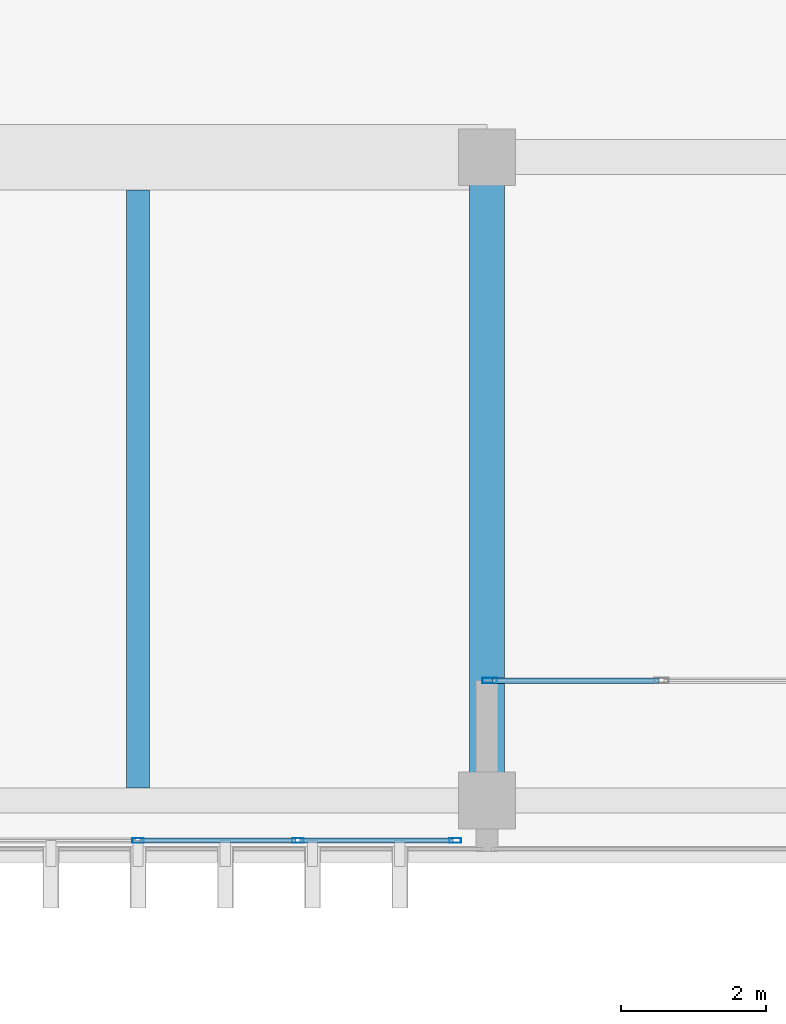
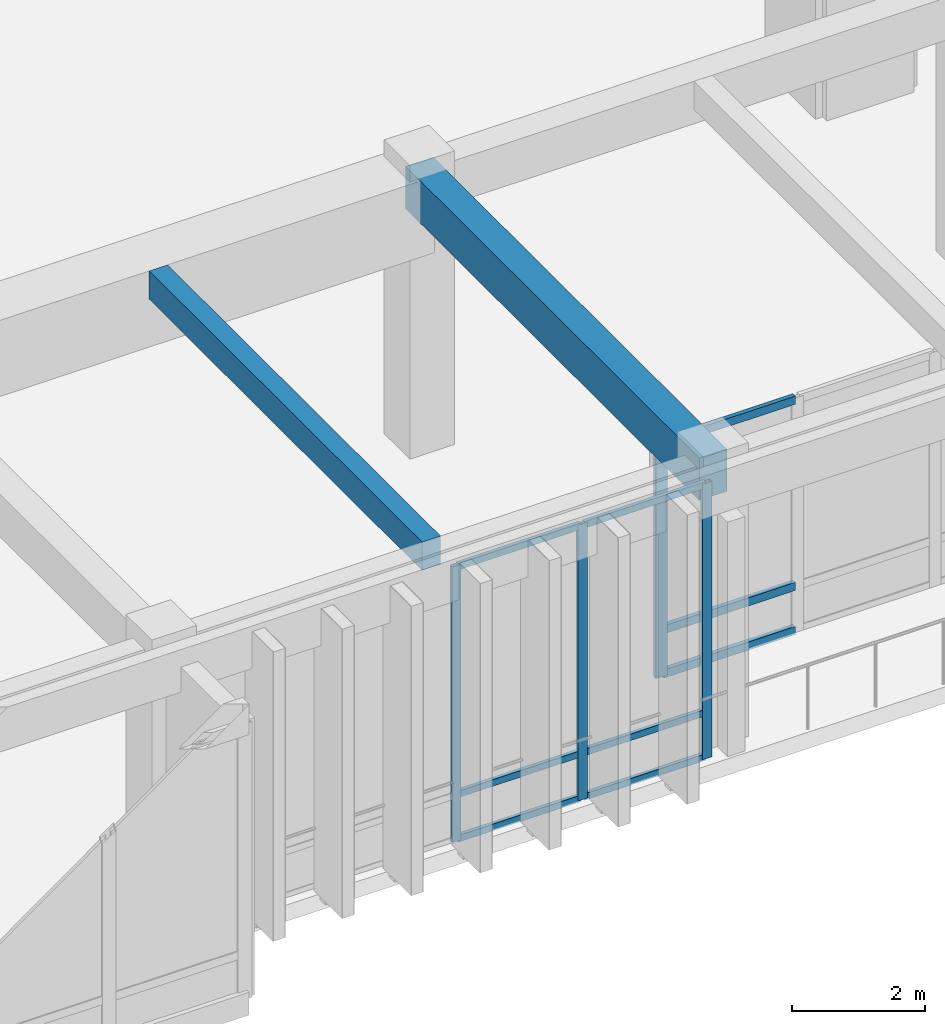
# One storey, part 15 of 134: 13 members, 2 beams, 2 elements without a shape of their own.
"""IFC4 building model written with IfcOpenShell, lengths in metres."""

from ifc_helpers import new_model, si_unit, direction, frame, origin, origin_2d, place, context, subcontext, project, spatial, rectangle, hollow_rectangle, extrude, material, layer, layer_set, material_profile, profile_set, type_object, element, aggregate, save


model = new_model("IFC4")

# Units and contexts
model_context = context("Model", 3, precision=1e-05, world=origin(), true_north=direction((0.0, 1.0)))
body_context = subcontext(model_context, "Body", "Model", "MODEL_VIEW")
ifc_project = project(units=[si_unit("LENGTHUNIT", "METRE"), si_unit("AREAUNIT", "SQUARE_METRE"), si_unit("VOLUMEUNIT", "CUBIC_METRE"), si_unit("PLANEANGLEUNIT", "RADIAN"), si_unit("MASSUNIT", "GRAM", prefix="KILO")], contexts=[model_context])

# Site, building, storey
site_placement = place(None, origin())
site = spatial("IfcSite", under=ifc_project, at=site_placement, CompositionType="ELEMENT")
building_placement = place(site_placement, origin())
building = spatial("IfcBuilding", under=site, at=building_placement, Name="Nakhvara Creek Congress Hotel", CompositionType="ELEMENT")
storey_placement = place(building_placement, frame((0.0, 0.0, 6.0)))
storey = spatial("IfcBuildingStorey", under=building, at=storey_placement, Name="L01", CompositionType="ELEMENT", Elevation=6.0)

# Beams
ifc_material_1 = material(Name="Concrete C40/50", Category="concrete")
ifc_material_profile_1 = material_profile(ifc_material_1, rectangle(XDim=0.320068359375, YDim=0.52001953125, at=origin_2d()), Name="RC-BM 320x520", Category="LoadBearing")
ifc_profile_set_1 = profile_set([ifc_material_profile_1], Name="Concrete C40/50")
beam_type_1 = type_object("IfcBeamType", Name="BM-RC-320X520", PredefinedType="JOIST", material=ifc_profile_set_1)
beam_1_placement = place(storey_placement, frame((81.60009765625, 0.925048828125, 4.840087890625), z_axis=(0.0, 1.0, 0.0), x_axis=(-1.0, 0.0, 0.0)))
element("IfcBeam", 1, at=beam_1_placement, inside=storey, type_object=beam_type_1, Name="Secondary Joist BJ2-L01-1366", PredefinedType="JOIST", context=body_context, shape_type="SweptSolid", body=[
    extrude(rectangle(XDim=0.320068359375, YDim=0.52001953125, at=origin_2d()), origin(), (0.0, 0.0, 1.0), 8.224853515625),
])
ifc_material_profile_2 = material_profile(ifc_material_1, rectangle(XDim=0.47998046875, YDim=0.780029296875, at=origin_2d()), Name="RC-BM 480x780", Category="LoadBearing")
ifc_profile_set_2 = profile_set([ifc_material_profile_2], Name="Concrete C40/50")
beam_type_2 = type_object("IfcBeamType", Name="BM-RC-480X780", PredefinedType="BEAM", material=ifc_profile_set_2)
beam_2_placement = place(storey_placement, frame((86.39990234375, 0.75, 4.7099609375), z_axis=(0.0, 1.0, 0.0), x_axis=(-1.0, 0.0, 0.0)))
element("IfcBeam", 2, at=beam_2_placement, inside=storey, type_object=beam_type_2, Name="Beam B13-L01-1164", PredefinedType="BEAM", context=body_context, shape_type="SweptSolid", body=[
    extrude(rectangle(XDim=0.47998046875, YDim=0.780029296875, at=origin_2d()), origin(), (0.0, 0.0, 1.0), 8.85009765625),
])

# Curtain wall, members
ifc_material_2 = material(Name="Bronze-anodised aluminium AW-6063-T6 and double-silver low-E glass", Category="aluminium")
ifc_layer_1 = layer(ifc_material_2, 0.199951171875)
ifc_layer_set_1 = layer_set([ifc_layer_1], Name="Bronze-anodised aluminium AW-6063-T6 and double-silver low-E glass")
curtain_wall_type_1 = type_object("IfcCurtainWallType", Name="CW-SPA-STICK", PredefinedType="NOTDEFINED", material=ifc_layer_set_1)
curtain_wall_1_placement = place(storey_placement, origin())
curtain_wall_1 = element("IfcCurtainWall", 3, at=curtain_wall_1_placement, inside=storey, type_object=curtain_wall_type_1, Name="Curtain Wall CW077", PredefinedType="NOTDEFINED")
ifc_material_3 = material(Name="Bronze-anodised aluminium AW-6063-T6", Category="aluminium")
ifc_material_profile_3 = material_profile(ifc_material_3, hollow_rectangle(XDim=0.06494140625, YDim=0.159912109375, WallThickness=0.00390625, at=origin_2d()), Name="ALU-MULL 65x160x4", Category="LoadBearing")
ifc_profile_set_3 = profile_set([ifc_material_profile_3], Name="Bronze-anodised aluminium AW-6063-T6")
member_type_1 = type_object("IfcMemberType", Name="CW-MULL-160", PredefinedType="MULLION", material=ifc_profile_set_3)
member_1_placement = place(storey_placement, frame((85.96240234375, 0.199951171875, 0.0), z_axis=(0.0, 0.0, 1.0), x_axis=(0.0, -1.0, 0.0)))
member_1 = element("IfcMember", 4, at=member_1_placement, type_object=member_type_1, Name="CW077 mullion 1", PredefinedType="MULLION", context=body_context, shape_type="SweptSolid", body=[
    extrude(hollow_rectangle(XDim=0.06494140625, YDim=0.159912109375, WallThickness=0.00390625, at=origin_2d()), origin(), (0.0, 0.0, 1.0), 5.070068359375),
])
member_2_placement = place(storey_placement, frame((83.797607421875, 0.199951171875, 0.0), z_axis=(0.0, 0.0, 1.0), x_axis=(0.0, -1.0, 0.0)))
member_2 = element("IfcMember", 5, at=member_2_placement, type_object=member_type_1, Name="CW077 mullion 2", PredefinedType="MULLION", context=body_context, shape_type="SweptSolid", body=[
    extrude(hollow_rectangle(XDim=0.06494140625, YDim=0.159912109375, WallThickness=0.00390625, at=origin_2d()), origin(), (0.0, 0.0, 1.0), 5.070068359375),
])
member_3_placement = place(storey_placement, frame((81.60009765625, 0.199951171875, 0.0), z_axis=(0.0, 0.0, 1.0), x_axis=(0.0, -1.0, 0.0)))
member_3 = element("IfcMember", 6, at=member_3_placement, type_object=member_type_1, Name="CW077 mullion 3", PredefinedType="MULLION", context=body_context, shape_type="SweptSolid", body=[
    extrude(hollow_rectangle(XDim=0.06494140625, YDim=0.159912109375, WallThickness=0.00390625, at=origin_2d()), origin(), (0.0, 0.0, 1.0), 5.070068359375),
])

# Curtain wall, member
ifc_layer_2 = layer(ifc_material_2, 0.219970703125)
ifc_layer_set_2 = layer_set([ifc_layer_2], Name="Bronze-anodised aluminium AW-6063-T6 and double-silver low-E glass")
curtain_wall_type_2 = type_object("IfcCurtainWallType", Name="CW-BOX-REC", PredefinedType="USERDEFINED", material=ifc_layer_set_2)
curtain_wall_2_placement = place(storey_placement, origin())
curtain_wall_2 = element("IfcCurtainWall", 7, at=curtain_wall_2_placement, inside=storey, type_object=curtain_wall_type_2, Name="Curtain Wall CW076", ObjectType="UNITISED", PredefinedType="USERDEFINED")
ifc_material_profile_4 = material_profile(ifc_material_3, hollow_rectangle(XDim=0.074951171875, YDim=0.199951171875, WallThickness=0.0048828125, at=origin_2d()), Name="ALU-MULL 75x200x5", Category="LoadBearing")
ifc_profile_set_4 = profile_set([ifc_material_profile_4], Name="Bronze-anodised aluminium AW-6063-T6")
member_type_2 = type_object("IfcMemberType", Name="CW-MULL-200", PredefinedType="MULLION", material=ifc_profile_set_4)
member_4_placement = place(storey_placement, frame((86.4375, 2.39990234375, 0.0), z_axis=(0.0, 0.0, 1.0), x_axis=(0.0, -1.0, 0.0)))
member_4 = element("IfcMember", 8, at=member_4_placement, type_object=member_type_2, Name="CW076 mullion 5", PredefinedType="MULLION", context=body_context, shape_type="SweptSolid", body=[
    extrude(hollow_rectangle(XDim=0.074951171875, YDim=0.199951171875, WallThickness=0.0048828125, at=origin_2d()), origin(), (0.0, 0.0, 1.0), 4.31201171875),
])

# Member
ifc_material_profile_5 = material_profile(ifc_material_3, hollow_rectangle(XDim=0.06494140625, YDim=0.1201171875, WallThickness=0.00390625, at=origin_2d()), Name="ALU-TRAN 65x120x4", Category="LoadBearing")
ifc_profile_set_5 = profile_set([ifc_material_profile_5], Name="Bronze-anodised aluminium AW-6063-T6")
member_type_3 = type_object("IfcMemberType", Name="CW-TRAN-120", PredefinedType="USERDEFINED", material=ifc_profile_set_5)
member_5_placement = place(storey_placement, frame((85.929931640625, 0.199951171875, 0.032470703125), z_axis=(-1.0, 0.0, 0.0), x_axis=(0.0, -1.0, 0.0)))
member_5 = element("IfcMember", 9, at=member_5_placement, type_object=member_type_3, Name="CW077 transom 1.1", ObjectType="TRANSOM", PredefinedType="USERDEFINED", context=body_context, shape_type="SweptSolid", body=[
    extrude(hollow_rectangle(XDim=0.06494140625, YDim=0.1201171875, WallThickness=0.00390625, at=origin_2d()), origin(), (0.0, 0.0, 1.0), 2.099853515625),
])

member_6_placement = place(storey_placement, frame((85.929931640625, 0.199951171875, 0.85009765625), z_axis=(-1.0, 0.0, 0.0), x_axis=(0.0, -1.0, 0.0)))
member_6 = element("IfcMember", 10, at=member_6_placement, type_object=member_type_3, Name="CW077 transom 1.2", ObjectType="TRANSOM", PredefinedType="USERDEFINED", context=body_context, shape_type="SweptSolid", body=[
    extrude(hollow_rectangle(XDim=0.06494140625, YDim=0.1201171875, WallThickness=0.00390625, at=origin_2d()), origin(), (0.0, 0.0, 1.0), 2.099853515625),
])

member_7_placement = place(storey_placement, frame((85.929931640625, 0.199951171875, 5.03759765625), z_axis=(-1.0, 0.0, 0.0), x_axis=(0.0, -1.0, 0.0)))
member_7 = element("IfcMember", 11, at=member_7_placement, type_object=member_type_3, Name="CW077 transom 1.3", ObjectType="TRANSOM", PredefinedType="USERDEFINED", context=body_context, shape_type="SweptSolid", body=[
    extrude(hollow_rectangle(XDim=0.06494140625, YDim=0.1201171875, WallThickness=0.00390625, at=origin_2d()), origin(), (0.0, 0.0, 1.0), 2.099853515625),
])

member_8_placement = place(storey_placement, frame((83.764892578125, 0.199951171875, 0.032470703125), z_axis=(-1.0, 0.0, 0.0), x_axis=(0.0, -1.0, 0.0)))
member_8 = element("IfcMember", 12, at=member_8_placement, type_object=member_type_3, Name="CW077 transom 2.1", ObjectType="TRANSOM", PredefinedType="USERDEFINED", context=body_context, shape_type="SweptSolid", body=[
    extrude(hollow_rectangle(XDim=0.06494140625, YDim=0.1201171875, WallThickness=0.00390625, at=origin_2d()), origin(), (0.0, 0.0, 1.0), 2.13232421875),
])

member_9_placement = place(storey_placement, frame((83.764892578125, 0.199951171875, 0.85009765625), z_axis=(-1.0, 0.0, 0.0), x_axis=(0.0, -1.0, 0.0)))
member_9 = element("IfcMember", 13, at=member_9_placement, type_object=member_type_3, Name="CW077 transom 2.2", ObjectType="TRANSOM", PredefinedType="USERDEFINED", context=body_context, shape_type="SweptSolid", body=[
    extrude(hollow_rectangle(XDim=0.06494140625, YDim=0.1201171875, WallThickness=0.00390625, at=origin_2d()), origin(), (0.0, 0.0, 1.0), 2.13232421875),
])

member_10_placement = place(storey_placement, frame((83.764892578125, 0.199951171875, 5.03759765625), z_axis=(-1.0, 0.0, 0.0), x_axis=(0.0, -1.0, 0.0)))
member_10 = element("IfcMember", 14, at=member_10_placement, type_object=member_type_3, Name="CW077 transom 2.3", ObjectType="TRANSOM", PredefinedType="USERDEFINED", context=body_context, shape_type="SweptSolid", body=[
    extrude(hollow_rectangle(XDim=0.06494140625, YDim=0.1201171875, WallThickness=0.00390625, at=origin_2d()), origin(), (0.0, 0.0, 1.0), 2.13232421875),
])

aggregate(curtain_wall_1, [member_1, member_2, member_3, member_5, member_6, member_7, member_8, member_9, member_10])

ifc_material_profile_6 = material_profile(ifc_material_3, hollow_rectangle(XDim=0.074951171875, YDim=0.14990234375, WallThickness=0.00390625, at=origin_2d()), Name="ALU-TRAN 75x150x4", Category="LoadBearing")
ifc_profile_set_6 = profile_set([ifc_material_profile_6], Name="Bronze-anodised aluminium AW-6063-T6")
member_type_4 = type_object("IfcMemberType", Name="CW-TRAN-150", PredefinedType="USERDEFINED", material=ifc_profile_set_6)
member_11_placement = place(storey_placement, frame((88.762451171875, 2.39990234375, 0.03759765625), z_axis=(-1.0, 0.0, 0.0), x_axis=(0.0, -1.0, 0.0)))
member_11 = element("IfcMember", 15, at=member_11_placement, type_object=member_type_4, Name="CW076 transom 4.1", ObjectType="TRANSOM", PredefinedType="USERDEFINED", context=body_context, shape_type="SweptSolid", body=[
    extrude(hollow_rectangle(XDim=0.074951171875, YDim=0.14990234375, WallThickness=0.00390625, at=origin_2d()), origin(), (0.0, 0.0, 1.0), 2.287353515625),
])

member_12_placement = place(storey_placement, frame((88.762451171875, 2.39990234375, 0.85009765625), z_axis=(-1.0, 0.0, 0.0), x_axis=(0.0, -1.0, 0.0)))
member_12 = element("IfcMember", 16, at=member_12_placement, type_object=member_type_4, Name="CW076 transom 4.2", ObjectType="TRANSOM", PredefinedType="USERDEFINED", context=body_context, shape_type="SweptSolid", body=[
    extrude(hollow_rectangle(XDim=0.074951171875, YDim=0.14990234375, WallThickness=0.00390625, at=origin_2d()), origin(), (0.0, 0.0, 1.0), 2.287353515625),
])

member_13_placement = place(storey_placement, frame((88.762451171875, 2.39990234375, 4.2744140625), z_axis=(-1.0, 0.0, 0.0), x_axis=(0.0, -1.0, 0.0)))
member_13 = element("IfcMember", 17, at=member_13_placement, type_object=member_type_4, Name="CW076 transom 4.3", ObjectType="TRANSOM", PredefinedType="USERDEFINED", context=body_context, shape_type="SweptSolid", body=[
    extrude(hollow_rectangle(XDim=0.074951171875, YDim=0.14990234375, WallThickness=0.00390625, at=origin_2d()), origin(), (0.0, 0.0, 1.0), 2.287353515625),
])

aggregate(curtain_wall_2, [member_4, member_11, member_12, member_13])

save(model, "model.ifc")
